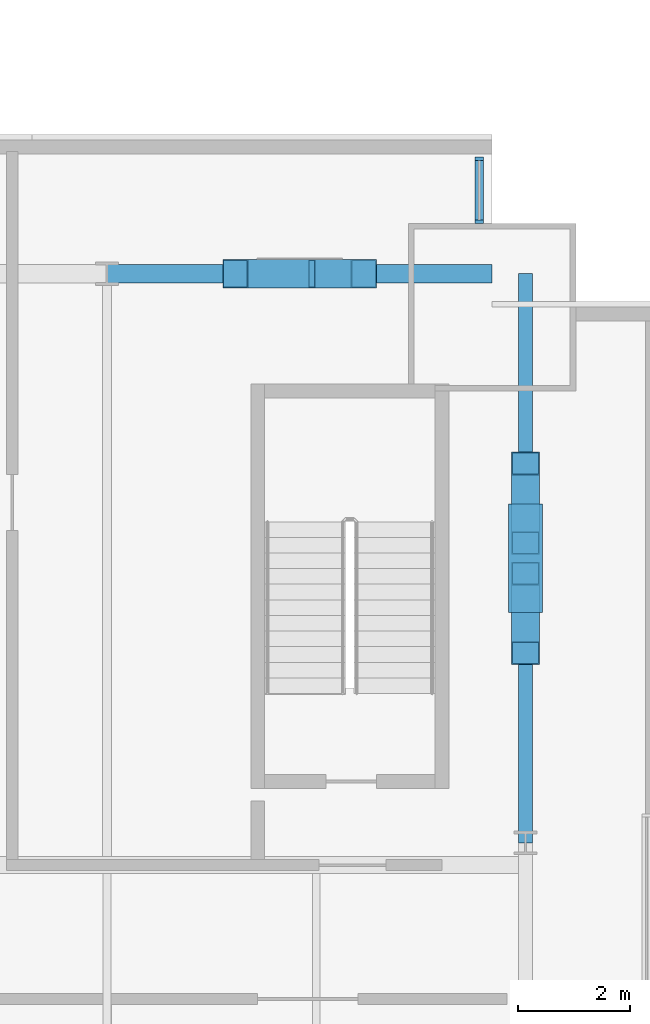
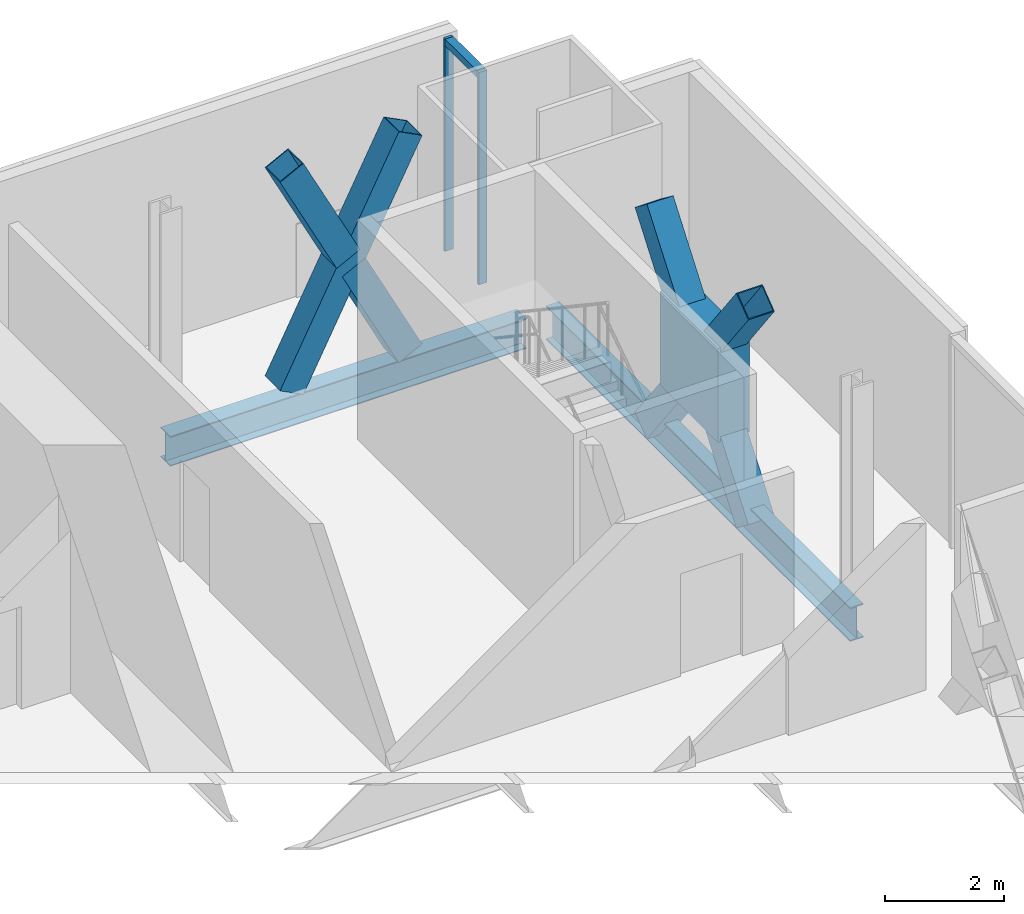
# One storey, part 13 of 22: 11 members, 2 beams, 1 element without a shape of its own.
"""IFC4 building model written with IfcOpenShell, lengths in metres."""

import ifcopenshell
import ifcopenshell.guid

model = None  # the IFC model being written
_history = None  # IfcOwnerHistory: only IFC2X3 demands one
_inside = {}  # id of a spatial element -> (the spatial element, [elements in it])
_under = {}  # id of a project, library or spatial element -> (it, [spatial elements below it])
_declared = {}  # id of a project -> (the project, [libraries it declares])
_typed = {}  # id of a type object -> (the type object, [elements of that type])
_made_of = {}  # id of a material, layer set ... -> (it, [elements and type objects made of it])


def new_model(schema):
    """Start an empty IFC model of exactly this schema.

    Asked for "IFC4X3", IfcOpenShell would pick the latest addendum, in which some entities
    have other attributes; the version numbers below select the first issue.
    IFC2X3 requires an IfcOwnerHistory on every rooted entity: one is made here for all.
    """
    global model, _history
    if schema == "IFC4X3":
        model = ifcopenshell.file(schema_version=(4, 3, 0, 0))
    else:
        model = ifcopenshell.file(schema=schema)
    _inside.clear()
    _under.clear()
    _declared.clear()
    _typed.clear()
    _made_of.clear()
    _history = None
    if model.schema == "IFC2X3":
        org = make("IfcOrganization", Name="unknown")
        user = make(
            "IfcPersonAndOrganization",
            ThePerson=make("IfcPerson", FamilyName="unknown"),
            TheOrganization=org,
        )
        app = make(
            "IfcApplication",
            ApplicationDeveloper=org,
            Version="unknown",
            ApplicationFullName="unknown",
            ApplicationIdentifier="unknown",
        )
        _history = make(
            "IfcOwnerHistory",
            OwningUser=user,
            OwningApplication=app,
            ChangeAction="ADDED",
            CreationDate=0,
        )
    return model


def make(cls, **values):
    """One entity of the class cls with the attributes given. An attribute that is None is left unset."""
    return model.create_entity(
        cls, **{name: value for name, value in values.items() if value is not None}
    )


def rooted(cls, **values):
    """An entity with a GlobalId (a new one), such as an element, a storey or a relation."""
    return make(cls, GlobalId=ifcopenshell.guid.new(), OwnerHistory=_history, **values)


def si_unit(unit_type, name, prefix=None):
    """IfcSIUnit, for example si_unit("LENGTHUNIT", "METRE", prefix="MILLI")."""
    return make("IfcSIUnit", UnitType=unit_type, Prefix=prefix, Name=name)


def assignment(units):
    """IfcUnitAssignment: the units of a project."""
    return None if units is None else make("IfcUnitAssignment", Units=units)


def point(xyz):
    """IfcCartesianPoint."""
    return None if xyz is None else make("IfcCartesianPoint", Coordinates=xyz)


def direction(xyz):
    """IfcDirection."""
    return None if xyz is None else make("IfcDirection", DirectionRatios=xyz)


def frame(location, z_axis=None, x_axis=None):
    """IfcAxis2Placement3D, a coordinate frame: its origin and axes. An axis left out is left unset."""
    return make(
        "IfcAxis2Placement3D",
        Location=point(location),
        Axis=direction(z_axis),
        RefDirection=direction(x_axis),
    )


def frame_2d(location, x_axis=None):
    """IfcAxis2Placement2D, a coordinate frame in the plane: its origin and x axis."""
    return make(
        "IfcAxis2Placement2D", Location=point(location), RefDirection=direction(x_axis)
    )


def origin():
    """The frame at (0, 0, 0) with its axes left unset."""
    return frame((0.0, 0.0, 0.0))


def origin_2d():
    """The frame at (0, 0) in the plane with its x axis left unset."""
    return frame_2d((0.0, 0.0))


def place(relative_to, where):
    """IfcLocalPlacement: puts the frame where relative to a parent placement (None: the world)."""
    return make(
        "IfcLocalPlacement", PlacementRelTo=relative_to, RelativePlacement=where
    )


def context(
    kind, dimensions, precision=None, world=None, true_north=None, identifier=None
):
    """IfcGeometricRepresentationContext, for example the 3D "Model" context."""
    return make(
        "IfcGeometricRepresentationContext",
        ContextIdentifier=identifier,
        ContextType=kind,
        CoordinateSpaceDimension=dimensions,
        Precision=precision,
        WorldCoordinateSystem=world,
        TrueNorth=true_north,
    )


def subcontext(parent, identifier, kind, view, scale=None):
    """IfcGeometricRepresentationSubContext, for example "Body" below "Model"."""
    return make(
        "IfcGeometricRepresentationSubContext",
        ContextIdentifier=identifier,
        ContextType=kind,
        ParentContext=parent,
        TargetScale=scale,
        TargetView=view,
    )


def project(units=None, contexts=None):
    """IfcProject with its units and contexts."""
    return rooted(
        "IfcProject",
        Name="project",
        RepresentationContexts=contexts,
        UnitsInContext=assignment(units),
    )


def spatial(cls, under=None, at=None, **own):
    """A site, building, storey or space (cls), placed at a placement, below another one or the project."""
    s = rooted(cls, ObjectPlacement=at, **own)
    if under is not None:
        _under.setdefault(under.id(), (under, []))[1].append(s)
    return s


def profile(cls, at=None, kind="AREA", **sizes):
    """A parametric profile (cls). Its sizes go by their IFC names, for example OverallWidth=200.0."""
    return make(cls, ProfileType=kind, Position=at, **sizes)


def rectangle(**sizes):
    """IfcRectangleProfileDef."""
    return profile("IfcRectangleProfileDef", **sizes)


def hollow_rectangle(**sizes):
    """IfcRectangleHollowProfileDef."""
    return profile("IfcRectangleHollowProfileDef", **sizes)


def i_section(**sizes):
    """IfcIShapeProfileDef."""
    return profile("IfcIShapeProfileDef", **sizes)


def extrude(swept, where, along, depth):
    """IfcExtrudedAreaSolid: the profile swept, set in the frame where, extruded along a direction by depth."""
    return make(
        "IfcExtrudedAreaSolid",
        SweptArea=swept,
        Position=where,
        ExtrudedDirection=direction(along),
        Depth=depth,
    )


def shape(context_of_items, identifier, shape_type, items):
    """IfcShapeRepresentation: the items that make up one representation, for example the "Body"."""
    return make(
        "IfcShapeRepresentation",
        ContextOfItems=context_of_items,
        RepresentationIdentifier=identifier,
        RepresentationType=shape_type,
        Items=items,
    )


def material(Name=None, Category=None):
    """IfcMaterial."""
    return make("IfcMaterial", Name=Name, Category=Category)


def material_profile(
    of_material, cross_section, Name=None, Category=None, Priority=None
):
    """IfcMaterialProfile: a cross section and its material."""
    return make(
        "IfcMaterialProfile",
        Name=Name,
        Material=of_material,
        Profile=cross_section,
        Priority=Priority,
        Category=Category,
    )


def profile_set(profiles, Name=None, composite=None):
    """IfcMaterialProfileSet."""
    return make(
        "IfcMaterialProfileSet",
        Name=Name,
        MaterialProfiles=profiles,
        CompositeProfile=composite,
    )


def made_of(thing, what):
    """Note that an element or type object is made of a material, layer set ...; save() writes the relation."""
    if what is not None:
        _made_of.setdefault(what.id(), (what, []))[1].append(thing)
    return thing


def type_object(cls, material=None, **own):
    """A type object (cls), such as IfcWallType, which elements share."""
    return made_of(rooted(cls, **own), material)


def element(
    cls,
    number,
    at=None,
    inside=None,
    cuts=None,
    type_object=None,
    material=None,
    context=None,
    identifier="Body",
    shape_type=None,
    held_by="IfcProductDefinitionShape",
    body=None,
    shapes=None,
    **own,
):
    """One element of the class cls, such as IfcWall. Its Tag is "e" and its number.

    at: its placement. inside: the storey or other place that contains it. cuts: it is an
    opening in that element (IfcRelVoidsElement). A single representation is given by context,
    identifier, shape_type and body (its items); several are given by shapes. held_by: the class
    of the entity that holds the representations. save() writes the other relations.
    """
    e = rooted(cls, Tag="e%d" % number, ObjectPlacement=at, **own)
    if body is not None:
        shapes = [shape(context, identifier, shape_type, body)]
    if shapes is not None:
        e.Representation = make(held_by, Representations=shapes)
    if inside is not None:
        _inside.setdefault(inside.id(), (inside, []))[1].append(e)
    if cuts is not None:
        rooted(
            "IfcRelVoidsElement", RelatingBuildingElement=cuts, RelatedOpeningElement=e
        )
    if type_object is not None:
        _typed.setdefault(type_object.id(), (type_object, []))[1].append(e)
    return made_of(e, material)


def aggregate(whole, parts):
    """IfcRelAggregates: a whole, such as a stair, and the parts it consists of."""
    return rooted("IfcRelAggregates", RelatingObject=whole, RelatedObjects=parts)


def save(model, path):
    """Write the relations noted so far, then the file.

    IfcRelAggregates (storeys below a building ...), IfcRelContainedInSpatialStructure (elements
    in a storey), IfcRelDefinesByType, IfcRelAssociatesMaterial and IfcRelDeclares: one each for
    every whole, place, type object, material and project.
    """
    for whole, parts in _under.values():
        aggregate(whole, parts)
    for where, things in _inside.values():
        rooted(
            "IfcRelContainedInSpatialStructure",
            RelatedElements=things,
            RelatingStructure=where,
        )
    for kind, things in _typed.values():
        rooted("IfcRelDefinesByType", RelatedObjects=things, RelatingType=kind)
    for what, things in _made_of.values():
        rooted("IfcRelAssociatesMaterial", RelatedObjects=things, RelatingMaterial=what)
    for by, libraries in _declared.values():
        rooted("IfcRelDeclares", RelatingContext=by, RelatedDefinitions=libraries)
    model.write(path)


model = new_model("IFC4")

# Units and contexts
model_context = context("Model", 3, precision=1e-05, world=origin(), true_north=direction((0.0, 1.0)))
body_context = subcontext(model_context, "Body", "Model", "MODEL_VIEW")
ifc_project = project(units=[si_unit("LENGTHUNIT", "METRE"), si_unit("AREAUNIT", "SQUARE_METRE"), si_unit("VOLUMEUNIT", "CUBIC_METRE"), si_unit("PLANEANGLEUNIT", "RADIAN"), si_unit("MASSUNIT", "GRAM", prefix="KILO")], contexts=[model_context])

# Site, building, storey
site_placement = place(None, origin())
site = spatial("IfcSite", under=ifc_project, at=site_placement, CompositionType="ELEMENT")
building_placement = place(site_placement, origin())
building = spatial("IfcBuilding", under=site, at=building_placement, Name="Bicima Exchange Tower", CompositionType="ELEMENT")
storey_placement = place(building_placement, frame((0.0, 0.0, 39.5)))
storey = spatial("IfcBuildingStorey", under=building, at=storey_placement, Name="L07", CompositionType="ELEMENT", Elevation=39.5)

# Member
ifc_material_1 = material(Name="Steel ASTM A572 Gr 50", Category="steel")
ifc_material_profile_1 = material_profile(ifc_material_1, rectangle(XDim=0.60791015625, YDim=1.938720703125, at=origin_2d()))
ifc_profile_set_1 = profile_set([ifc_material_profile_1], Name="Steel ASTM A572 Gr 50")
member_type_1 = type_object("IfcMemberType", Name="Brace crossing node 608 x 1939", PredefinedType="POST", material=ifc_profile_set_1)
member_1_placement = place(storey_placement, frame((33.60009765625, -7.5, 0.7939453125), z_axis=(0.0, 0.0, 1.0), x_axis=(1.0, 0.0, 0.0)))
element("IfcMember", 1, at=member_1_placement, inside=storey, type_object=member_type_1, Name="Brace crossing node block", PredefinedType="POST", context=body_context, shape_type="SweptSolid", body=[
    extrude(rectangle(XDim=0.60791015625, YDim=1.938720703125, at=origin_2d()), origin(), (0.0, 0.0, 1.0), 1.918701171875),
])

# Beam
ifc_material_2 = material(Name="Steel ASTM A992 Gr 50", Category="steel")
ifc_material_profile_2 = material_profile(ifc_material_2, i_section(OverallWidth=0.256591796875, OverallDepth=0.693359375, WebThickness=0.014404296875, FlangeThickness=0.023681640625, at=origin_2d()))
ifc_profile_set_2 = profile_set([ifc_material_profile_2], Name="Steel ASTM A992 Gr 50")
beam_type_1 = type_object("IfcBeamType", Name="End girder W27x114", PredefinedType="BEAM", material=ifc_profile_set_2)
beam_1_placement = place(storey_placement, frame((33.60009765625, -2.39990234375, -0.49658203125), z_axis=(0.0, -1.0, 0.0), x_axis=(1.0, 0.0, 0.0)))
element("IfcBeam", 2, at=beam_1_placement, inside=storey, type_object=beam_type_1, Name="End girder", PredefinedType="BEAM", context=body_context, shape_type="SweptSolid", body=[
    extrude(i_section(OverallWidth=0.256591796875, OverallDepth=0.693359375, WebThickness=0.014404296875, FlangeThickness=0.023681640625, at=origin_2d()), origin(), (0.0, 0.0, 1.0), 10.2001953125),
])

# Curtain wall, members
ifc_material_3 = material(Name="Anodised bronze aluminium", Category="aluminium")
curtain_wall_type = type_object("IfcCurtainWallType", Name="Front glass wall", PredefinedType="NOTDEFINED", material=ifc_material_3)
curtain_wall_placement = place(storey_placement, origin())
curtain_wall = element("IfcCurtainWall", 3, at=curtain_wall_placement, inside=storey, type_object=curtain_wall_type, Name="Front glass wall L07 run 20", PredefinedType="NOTDEFINED")
ifc_material_profile_3 = material_profile(ifc_material_3, rectangle(XDim=0.159912109375, YDim=0.06005859375, at=origin_2d()))
ifc_profile_set_3 = profile_set([ifc_material_profile_3], Name="Anodised bronze aluminium")
member_type_2 = type_object("IfcMemberType", Name="Front glass wall mullion 60 x 160", PredefinedType="MULLION", material=ifc_profile_set_3)
member_2_placement = place(storey_placement, frame((32.77001953125, -1.469970703125, 0.0), z_axis=(0.0, 0.0, 1.0), x_axis=(-1.0, 0.0, 0.0)))
member_2 = element("IfcMember", 4, at=member_2_placement, type_object=member_type_2, Name="Front glass wall mullion 1", PredefinedType="MULLION", context=body_context, shape_type="SweptSolid", body=[
    extrude(rectangle(XDim=0.159912109375, YDim=0.06005859375, at=origin_2d()), origin(), (0.0, 0.0, 1.0), 4.35009765625),
])
member_3_placement = place(storey_placement, frame((32.77001953125, -0.340087890625, 0.0), z_axis=(0.0, 0.0, 1.0), x_axis=(-1.0, 0.0, 0.0)))
member_3 = element("IfcMember", 5, at=member_3_placement, type_object=member_type_2, Name="Front glass wall mullion 2", PredefinedType="MULLION", context=body_context, shape_type="SweptSolid", body=[
    extrude(rectangle(XDim=0.159912109375, YDim=0.06005859375, at=origin_2d()), origin(), (0.0, 0.0, 1.0), 4.35009765625),
])
ifc_material_profile_4 = material_profile(ifc_material_3, rectangle(XDim=0.159912109375, YDim=0.139892578125, at=origin_2d()))
ifc_profile_set_4 = profile_set([ifc_material_profile_4], Name="Anodised bronze aluminium")
member_type_3 = type_object("IfcMemberType", Name="Front glass wall transom 140 x 160", PredefinedType="USERDEFINED", material=ifc_profile_set_4)
member_4_placement = place(storey_placement, frame((32.77001953125, -1.43994140625, 4.280029296875), z_axis=(0.0, 1.0, 0.0), x_axis=(-1.0, 0.0, 0.0)))
member_4 = element("IfcMember", 6, at=member_4_placement, type_object=member_type_3, Name="Front glass wall transom 1.1", ObjectType="TRANSOM", PredefinedType="USERDEFINED", context=body_context, shape_type="SweptSolid", body=[
    extrude(rectangle(XDim=0.159912109375, YDim=0.139892578125, at=origin_2d()), origin(), (0.0, 0.0, 1.0), 1.06982421875),
])
aggregate(curtain_wall, [member_2, member_3, member_4])

# Members
ifc_material_profile_5 = material_profile(ifc_material_1, hollow_rectangle(XDim=0.508056640625, YDim=0.508056640625, WallThickness=0.017822265625, at=origin_2d()))
ifc_profile_set_5 = profile_set([ifc_material_profile_5], Name="Steel ASTM A572 Gr 50")
member_type_4 = type_object("IfcMemberType", Name="Mega brace HSS20x20x3/4", PredefinedType="BRACE", material=ifc_profile_set_5)
member_5_placement = place(storey_placement, frame((28.39990234375, -2.39990234375, 0.0), z_axis=(0.455118720355, 0.0, 0.890430766754), x_axis=(0.0, 1.0, 0.0)))
element("IfcMember", 7, at=member_5_placement, inside=storey, type_object=member_type_4, Name="Mega brace rear", PredefinedType="BRACE", context=body_context, shape_type="SweptSolid", body=[
    extrude(hollow_rectangle(XDim=0.508056640625, YDim=0.508056640625, WallThickness=0.017822265625, at=origin_2d()), origin(), (0.0, 0.0, 1.0), 5.0537109375),
])
member_6_placement = place(storey_placement, frame((30.699951171875, -2.39990234375, 0.0), z_axis=(-0.45505751144, 0.0, 0.890462049322), x_axis=(0.0, -1.0, 0.0)))
element("IfcMember", 8, at=member_6_placement, inside=storey, type_object=member_type_4, Name="Mega brace rear", PredefinedType="BRACE", context=body_context, shape_type="SweptSolid", body=[
    extrude(hollow_rectangle(XDim=0.508056640625, YDim=0.508056640625, WallThickness=0.017822265625, at=origin_2d()), origin(), (0.0, 0.0, 1.0), 2.409912109375),
])
member_7_placement = place(storey_placement, frame((29.496826171875, -2.39990234375, 2.35400390625), z_axis=(-0.455137832112, 0.0, 0.890420998057), x_axis=(0.0, -1.0, 0.0)))
element("IfcMember", 9, at=member_7_placement, inside=storey, type_object=member_type_4, Name="Mega brace rear", PredefinedType="BRACE", context=body_context, shape_type="SweptSolid", body=[
    extrude(hollow_rectangle(XDim=0.508056640625, YDim=0.508056640625, WallThickness=0.017822265625, at=origin_2d()), origin(), (0.0, 0.0, 1.0), 2.41015625),
])
for number, where, z_axis, x_axis, name in (
    (10, (33.60009765625, -5.800048828125, -0.49658203125), (0.0, -0.602783510849, 0.797904780691), (1.0, 0.0, 0.0), "Mega brace east end"),
    (11, (33.60009765625, -7.772216796875, 2.11328125), (0.0, -0.602733938339, 0.797942228218), (1.0, 0.0, 0.0), "Mega brace east end"),
    (12, (33.60009765625, -9.199951171875, -0.49658203125), (0.0, 0.602783510849, 0.797904780691), (-1.0, 0.0, 0.0), "Mega brace east end"),
    (13, (33.60009765625, -7.227783203125, 2.11328125), (0.0, 0.602733938339, 0.797942228218), (-1.0, 0.0, 0.0), "Mega brace east end"),
):
    element("IfcMember", number, at=place(storey_placement, frame(where, z_axis=z_axis, x_axis=x_axis)), inside=storey, type_object=member_type_4, Name=name, PredefinedType="BRACE", context=body_context, shape_type="SweptSolid", body=[
        extrude(hollow_rectangle(XDim=0.508056640625, YDim=0.508056640625, WallThickness=0.017822265625, at=origin_2d()), origin(), (0.0, 0.0, 1.0), 2.36865234375),
    ])

# Beam
ifc_material_profile_6 = material_profile(ifc_material_2, i_section(OverallWidth=0.3251953125, OverallDepth=0.612060546875, WebThickness=0.0126953125, FlangeThickness=0.01904296875, at=origin_2d()))
ifc_profile_set_6 = profile_set([ifc_material_profile_6], Name="Steel ASTM A992 Gr 50")
beam_type_2 = type_object("IfcBeamType", Name="Rear girder W24x104", PredefinedType="BEAM", material=ifc_profile_set_6)
beam_2_placement = place(storey_placement, frame((26.10009765625, -2.39990234375, -0.4560546875), z_axis=(1.0, 0.0, 0.0), x_axis=(0.0, 1.0, 0.0)))
element("IfcBeam", 14, at=beam_2_placement, inside=storey, type_object=beam_type_2, Name="Rear girder", PredefinedType="BEAM", context=body_context, shape_type="SweptSolid", body=[
    extrude(i_section(OverallWidth=0.3251953125, OverallDepth=0.612060546875, WebThickness=0.0126953125, FlangeThickness=0.01904296875, at=origin_2d()), origin(), (0.0, 0.0, 1.0), 6.89990234375),
])

save(model, "model.ifc")
